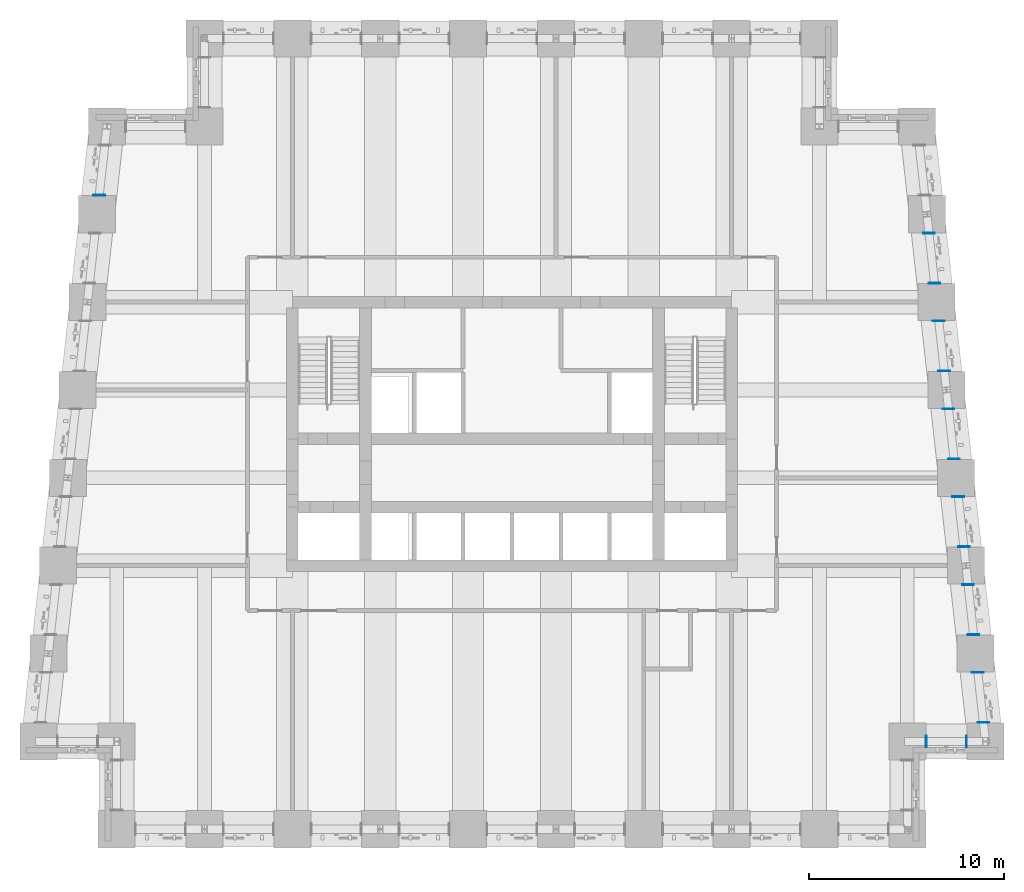
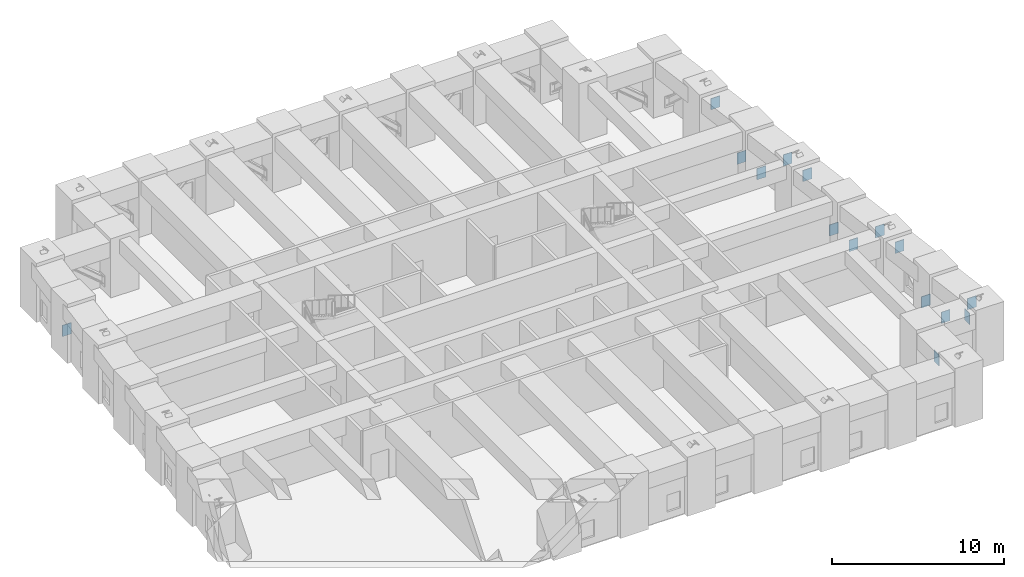
# One storey, part 7 of 16: 15 discrete accessories.
"""IFC4 building model written with IfcOpenShell, lengths in metres."""

from ifc_helpers import new_model, si_unit, direction, frame, origin, place, context, subcontext, project, spatial, polyline, outline, extrude, source, transform, mapped, material, layer, layer_set, type_object, element, save


model = new_model("IFC4")

# Units and contexts
model_context = context("Model", 3, precision=1e-05, world=origin(), true_north=direction((0.0, 1.0)))
body_context = subcontext(model_context, "Body", "Model", "MODEL_VIEW")
ifc_project = project(units=[si_unit("LENGTHUNIT", "METRE"), si_unit("AREAUNIT", "SQUARE_METRE"), si_unit("VOLUMEUNIT", "CUBIC_METRE"), si_unit("PLANEANGLEUNIT", "RADIAN"), si_unit("MASSUNIT", "GRAM", prefix="KILO")], contexts=[model_context])

# Site, building, storey
site_placement = place(None, origin())
site = spatial("IfcSite", under=ifc_project, at=site_placement, CompositionType="ELEMENT")
building_placement = place(site_placement, origin())
building = spatial("IfcBuilding", under=site, at=building_placement, Name="Kilele Tower Hotel", CompositionType="ELEMENT")
storey_placement = place(building_placement, frame((0.0, 0.0, 85.699951171875)))
storey = spatial("IfcBuildingStorey", under=building, at=storey_placement, Name="L21", CompositionType="ELEMENT", Elevation=85.699951171875)

# Discrete accessories
ifc_material = material(Name="Steel S355", Category="steel")
ifc_layer = layer(ifc_material, 0.0400390625)
ifc_layer_set = layer_set([ifc_layer], Name="Steel S355")
discrete_accessory_type = type_object("IfcDiscreteAccessoryType", Name="Cast-in anchor plate 800x600x40", PredefinedType="ANCHORPLATE", material=ifc_layer_set)
shared_shape = source(origin(), body_context, "Body", "SweptSolid", [
    extrude(outline(polyline([(0.0, 0.0), (0.0400390625, 0.0), (0.0400390625, 0.800048828125), (0.0, 0.800048828125), (0.0, 0.0)])), origin(), (0.0, 0.0, 1.0), 0.60009765625),
])
for number, where, z_axis, x_axis, name in (
    (1, (45.949951171875, 4.800048828125, 0.59765625), (0.0, -1.0, 0.0), (1.0, 0.0, 0.0), "Cast-in anchor plate L21"),
    (2, (48.050048828125, 4.199951171875, 2.802490234375), (0.0, 1.0, 0.0), (-1.0, 0.0, 0.0), "Cast-in anchor plate L21"),
    (3, (48.594482421875, 5.449951171875, 2.913330078125), (1.0, 0.0, 0.0), (0.0, 1.0, 0.0), "Cast-in anchor plate L21"),
    (4, (48.905517578125, 8.050048828125, 0.48681640625), (-1.0, 0.0, 0.0), (0.0, -1.0, 0.0), "Cast-in anchor plate L21"),
    (5, (48.094482421875, 9.949951171875, 0.48681640625), (1.0, 0.0, 0.0), (0.0, 1.0, 0.0), "Cast-in anchor plate L21"),
    (6, (48.405517578125, 12.550048828125, 2.913330078125), (-1.0, 0.0, 0.0), (0.0, -1.0, 0.0), "Cast-in anchor plate L21"),
    (7, (47.594482421875, 14.449951171875, 2.913330078125), (1.0, 0.0, 0.0), (0.0, 1.0, 0.0), "Cast-in anchor plate L21"),
    (8, (47.905517578125, 17.050048828125, 0.48681640625), (-1.0, 0.0, 0.0), (0.0, -1.0, 0.0), "Cast-in anchor plate L21"),
    (9, (47.094482421875, 18.949951171875, 0.48681640625), (1.0, 0.0, 0.0), (0.0, 1.0, 0.0), "Cast-in anchor plate L21"),
    (10, (47.405517578125, 21.550048828125, 2.913330078125), (-1.0, 0.0, 0.0), (0.0, -1.0, 0.0), "Cast-in anchor plate L21"),
    (11, (46.594482421875, 23.449951171875, 2.913330078125), (1.0, 0.0, 0.0), (0.0, 1.0, 0.0), "Cast-in anchor plate L21"),
    (12, (46.905517578125, 26.050048828125, 0.48681640625), (-1.0, 0.0, 0.0), (0.0, -1.0, 0.0), "Cast-in anchor plate L21"),
    (13, (46.094482421875, 27.949951171875, 0.48681640625), (1.0, 0.0, 0.0), (0.0, 1.0, 0.0), "Cast-in anchor plate L21"),
    (14, (46.405517578125, 30.550048828125, 2.913330078125), (-1.0, 0.0, 0.0), (0.0, -1.0, 0.0), "Cast-in anchor plate L21"),
    (15, (3.3056640625, 32.449951171875, 0.48681640625), (1.0, 0.0, 0.0), (0.0, 1.0, 0.0), "Cast-in anchor plate L21"),
):
    element("IfcDiscreteAccessory", number, at=place(storey_placement, frame(where, z_axis=z_axis, x_axis=x_axis)), inside=storey, type_object=discrete_accessory_type, Name=name, PredefinedType="ANCHORPLATE", context=body_context, shape_type="MappedRepresentation", body=[
        mapped(shared_shape, transform((0.0, 0.0, 0.0))),
    ])

save(model, "model.ifc")
